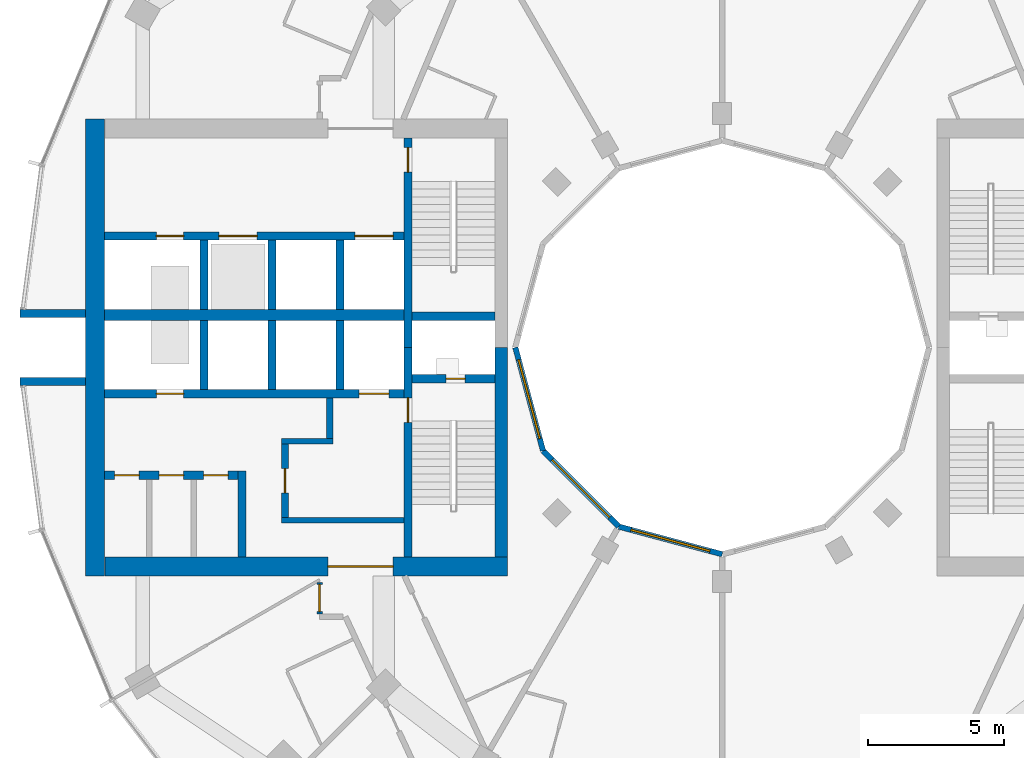
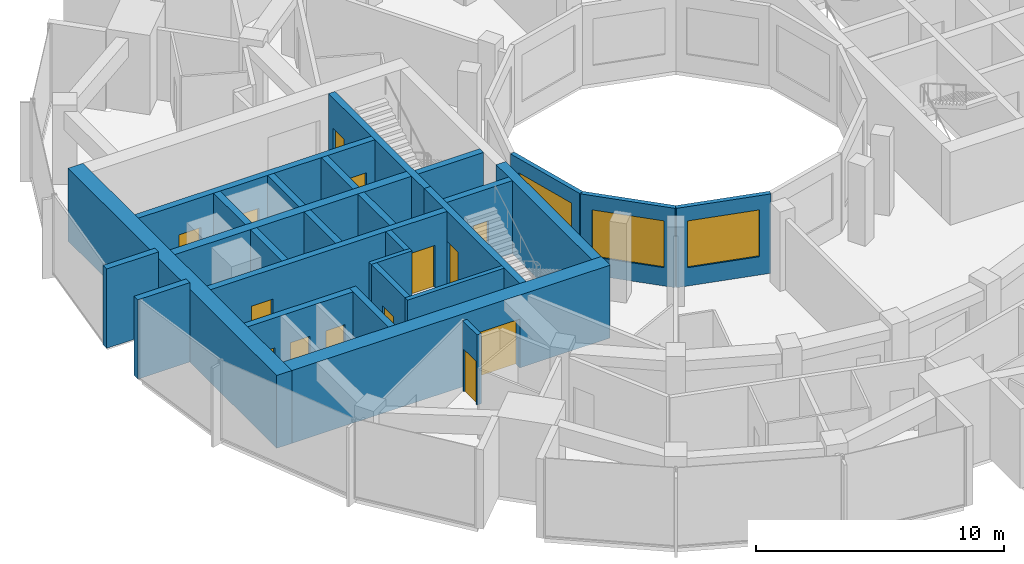
# One storey, part 9 of 15: 28 walls, 14 doors, 3 windows, 17 openings.
"""IFC4 building model written with IfcOpenShell, lengths in metres."""

from ifc_helpers import new_model, si_unit, direction, frame, frame_2d, origin, place, context, subcontext, project, spatial, rectangle, extrude, material, layer, layer_set, type_object, element, fill, save


model = new_model("IFC4")

# Units and contexts
model_context = context("Model", 3, precision=1e-05, world=origin(), true_north=direction((0.0, 1.0)))
body_context = subcontext(model_context, "Body", "Model", "MODEL_VIEW")
ifc_project = project(units=[si_unit("LENGTHUNIT", "METRE"), si_unit("AREAUNIT", "SQUARE_METRE"), si_unit("VOLUMEUNIT", "CUBIC_METRE"), si_unit("PLANEANGLEUNIT", "RADIAN"), si_unit("MASSUNIT", "GRAM", prefix="KILO")], contexts=[model_context])

# Site, building, storey
site_placement = place(None, origin())
site = spatial("IfcSite", under=ifc_project, at=site_placement, CompositionType="ELEMENT")
building_placement = place(site_placement, origin())
building = spatial("IfcBuilding", under=site, at=building_placement, Name="Torre Brocal", CompositionType="ELEMENT")
storey_placement = place(building_placement, frame((0.0, 0.0, 134.10009765625)))
storey = spatial("IfcBuildingStorey", under=building, at=storey_placement, Name="L31", CompositionType="ELEMENT", Elevation=134.10009765625)

# Walls
ifc_material_1 = material(Name="Concrete C70", Category="concrete")
ifc_layer_1 = layer(ifc_material_1, 0.199951171875)
ifc_layer_set_1 = layer_set([ifc_layer_1], Name="Concrete C70")
wall_type_1 = type_object("IfcWallType", Name="CORE WALL 200 C70", PredefinedType="SHEAR", material=ifc_layer_set_1)
wall_1_placement = place(storey_placement, frame((68.300048828125, 68.64990234375, 0.0), z_axis=(0.0, 0.0, 1.0), x_axis=(-1.0, 0.0, 0.0)))
element("IfcWall", 1, at=wall_1_placement, inside=storey, type_object=wall_type_1, Name="Wall CW200-70", PredefinedType="SHEAR", context=body_context, shape_type="SweptSolid", body=[
    extrude(rectangle(XDim=4.5, YDim=0.199951171875, at=frame_2d((2.25, 0.0))), origin(), (0.0, 0.0, 1.0), 3.579833984375),
])
wall_2_placement = place(storey_placement, frame((65.699951171875, 71.550048828125, 0.0), z_axis=(0.0, 0.0, 1.0), x_axis=(-1.0, 0.0, 0.0)))
element("IfcWall", 2, at=wall_2_placement, inside=storey, type_object=wall_type_1, Name="Wall CW200-70", PredefinedType="SHEAR", context=body_context, shape_type="SweptSolid", body=[
    extrude(rectangle(XDim=1.89990234375, YDim=0.199951171875, at=frame_2d((0.949951171875, 0.0))), origin(), (0.0, 0.0, 1.0), 3.579833984375),
])

# Wall, opening, door
ifc_material_2 = material(Name="Concrete C70", Category="concrete")
ifc_layer_2 = layer(ifc_material_2, 0.25)
ifc_layer_set_2 = layer_set([ifc_layer_2], Name="Concrete C70")
wall_type_2 = type_object("IfcWallType", Name="CORE WALL 250 C70", PredefinedType="SHEAR", material=ifc_layer_set_2)
wall_3_placement = place(storey_placement, frame((63.925048828125, 71.449951171875, 0.0), z_axis=(0.0, 0.0, 1.0), x_axis=(0.0, -1.0, 0.0)))
wall_3 = element("IfcWall", 3, at=wall_3_placement, inside=storey, type_object=wall_type_2, Name="Wall CW250-70", PredefinedType="SHEAR", context=body_context, shape_type="SweptSolid", body=[
    extrude(rectangle(XDim=2.699951171875, YDim=0.25, at=frame_2d((1.35009765625, 0.0))), origin(), (0.0, 0.0, 1.0), 3.579833984375),
])
opening_1_placement = place(wall_3_placement, frame((0.89990234375, 0.0, 0.0)))
opening_1 = element("IfcOpeningElement", 4, at=opening_1_placement, cuts=wall_3, Name="Opening W-D15", PredefinedType="OPENING", context=body_context, shape_type="SweptSolid", body=[
    extrude(rectangle(XDim=0.89990234375, YDim=2.10009765625, at=frame_2d((0.449951171875, 1.050048828125))), frame((0.0, 0.135009765625, 0.0), z_axis=(0.0, -1.0, 0.0), x_axis=(1.0, 0.0, 0.0)), (0.0, 0.0, 1.0), 0.27001953125),
])
ifc_material_3 = material(Name="Steel A653", Category="steel")
door_type_1 = type_object("IfcDoorType", Name="LOBBY DOOR FD120 900X2100", OperationType="SINGLE_SWING_RIGHT", PredefinedType="DOOR", material=ifc_material_3)
door_1_placement = place(opening_1_placement, origin())
door_1 = element("IfcDoor", 5, at=door_1_placement, inside=storey, type_object=door_type_1, Name="Door W-D15", OperationType="SINGLE_SWING_LEFT", OverallHeight=2.10009765625, OverallWidth=0.89990234375, PredefinedType="DOOR", context=body_context, shape_type="SweptSolid", body=[
    extrude(rectangle(XDim=0.89990234375, YDim=2.10009765625, at=frame_2d((0.449951171875, 1.050048828125))), frame((0.0, 0.02490234375, 0.0), z_axis=(0.0, -1.0, 0.0), x_axis=(1.0, 0.0, 0.0)), (0.0, 0.0, 1.0), 0.050048828125),
])
fill(opening_1, door_1)

# Wall
wall_4_placement = place(storey_placement, frame((65.574951171875, 73.14990234375, 0.0), z_axis=(0.0, 0.0, 1.0), x_axis=(0.0, -1.0, 0.0)))
element("IfcWall", 6, at=wall_4_placement, inside=storey, type_object=wall_type_2, Name="Wall CW250-70", PredefinedType="SHEAR", context=body_context, shape_type="SweptSolid", body=[
    extrude(rectangle(XDim=1.5, YDim=0.25, at=frame_2d((0.75, 0.0))), origin(), (0.0, 0.0, 1.0), 3.579833984375),
])

# Wall, opening, door
ifc_material_4 = material(Name="Concrete C70", Category="concrete")
ifc_layer_3 = layer(ifc_material_4, 0.300048828125)
ifc_layer_set_3 = layer_set([ifc_layer_3], Name="Concrete C70")
wall_type_3 = type_object("IfcWallType", Name="CORE WALL 300 C70", PredefinedType="SHEAR", material=ifc_layer_set_3)
wall_5_placement = place(storey_placement, frame((68.449951171875, 75.0, 0.0), z_axis=(0.0, 0.0, 1.0), x_axis=(0.0, -1.0, 0.0)))
wall_5 = element("IfcWall", 7, at=wall_5_placement, inside=storey, type_object=wall_type_3, Name="Wall CW300-70", PredefinedType="SHEAR", context=body_context, shape_type="SweptSolid", body=[
    extrude(rectangle(XDim=7.699951171875, YDim=0.300048828125, at=frame_2d((3.85009765625, 0.0))), origin(), (0.0, 0.0, 1.0), 3.579833984375),
])
opening_2_placement = place(wall_5_placement, frame((1.85009765625, 0.0, 0.0)))
opening_2 = element("IfcOpeningElement", 8, at=opening_2_placement, cuts=wall_5, Name="Opening W-D02", PredefinedType="OPENING", context=body_context, shape_type="SweptSolid", body=[
    extrude(rectangle(XDim=0.89990234375, YDim=2.10009765625, at=frame_2d((0.449951171875, 1.050048828125))), frame((0.0, 0.159912109375, 0.0), z_axis=(0.0, -1.0, 0.0), x_axis=(1.0, 0.0, 0.0)), (0.0, 0.0, 1.0), 0.320068359375),
])
ifc_material_5 = material(Name="Steel A653", Category="steel")
door_type_2 = type_object("IfcDoorType", Name="STAIR DOOR FD120 900X2100", OperationType="SINGLE_SWING_RIGHT", PredefinedType="DOOR", material=ifc_material_5)
door_2_placement = place(opening_2_placement, origin())
door_2 = element("IfcDoor", 9, at=door_2_placement, inside=storey, type_object=door_type_2, Name="Door W-D02", OperationType="SINGLE_SWING_LEFT", OverallHeight=2.10009765625, OverallWidth=0.89990234375, PredefinedType="DOOR", context=body_context, shape_type="SweptSolid", body=[
    extrude(rectangle(XDim=0.89990234375, YDim=2.10009765625, at=frame_2d((0.449951171875, 1.050048828125))), frame((0.0, 0.02490234375, 0.0), z_axis=(0.0, -1.0, 0.0), x_axis=(1.0, 0.0, 0.0)), (0.0, 0.0, 1.0), 0.050048828125),
])
fill(opening_2, door_2)

wall_6_placement = place(storey_placement, frame((68.449951171875, 82.699951171875, 0.0), z_axis=(0.0, 0.0, 1.0), x_axis=(0.0, -1.0, 0.0)))
wall_6 = element("IfcWall", 10, at=wall_6_placement, inside=storey, type_object=wall_type_3, Name="Wall CW300-70", PredefinedType="SHEAR", context=body_context, shape_type="SweptSolid", body=[
    extrude(rectangle(XDim=7.699951171875, YDim=0.300048828125, at=frame_2d((3.85009765625, 0.0))), origin(), (0.0, 0.0, 1.0), 3.579833984375),
])
opening_3_placement = place(wall_6_placement, frame((0.35009765625, 0.0, 0.0)))
opening_3 = element("IfcOpeningElement", 11, at=opening_3_placement, cuts=wall_6, Name="Opening W-D03", PredefinedType="OPENING", context=body_context, shape_type="SweptSolid", body=[
    extrude(rectangle(XDim=0.89990234375, YDim=2.10009765625, at=frame_2d((0.449951171875, 1.050048828125))), frame((0.0, 0.159912109375, 0.0), z_axis=(0.0, -1.0, 0.0), x_axis=(1.0, 0.0, 0.0)), (0.0, 0.0, 1.0), 0.320068359375),
])
door_3_placement = place(opening_3_placement, origin())
door_3 = element("IfcDoor", 12, at=door_3_placement, inside=storey, type_object=door_type_2, Name="Door W-D03", OperationType="SINGLE_SWING_LEFT", OverallHeight=2.10009765625, OverallWidth=0.89990234375, PredefinedType="DOOR", context=body_context, shape_type="SweptSolid", body=[
    extrude(rectangle(XDim=0.89990234375, YDim=2.10009765625, at=frame_2d((0.449951171875, 1.050048828125))), frame((0.0, 0.02490234375, 0.0), z_axis=(0.0, -1.0, 0.0), x_axis=(1.0, 0.0, 0.0)), (0.0, 0.0, 1.0), 0.050048828125),
])
fill(opening_3, door_3)

wall_7_placement = place(storey_placement, frame((71.64990234375, 73.85009765625, 0.0), z_axis=(0.0, 0.0, 1.0), x_axis=(-1.0, 0.0, 0.0)))
wall_7 = element("IfcWall", 13, at=wall_7_placement, inside=storey, type_object=wall_type_3, Name="Wall CW300-70", PredefinedType="SHEAR", context=body_context, shape_type="SweptSolid", body=[
    extrude(rectangle(XDim=3.0498046875, YDim=0.300048828125, at=frame_2d((1.52490234375, 0.0))), origin(), (0.0, 0.0, 1.0), 3.579833984375),
])
opening_4_placement = place(wall_7_placement, frame((1.10009765625, 0.0, 0.0)))
opening_4 = element("IfcOpeningElement", 14, at=opening_4_placement, cuts=wall_7, Name="Opening W-D01", PredefinedType="OPENING", context=body_context, shape_type="SweptSolid", body=[
    extrude(rectangle(XDim=0.699951171875, YDim=2.0, at=frame_2d((0.35009765625, 1.0))), frame((0.0, 0.159912109375, 0.0), z_axis=(0.0, -1.0, 0.0), x_axis=(1.0, 0.0, 0.0)), (0.0, 0.0, 1.0), 0.320068359375),
])
ifc_material_6 = material(Name="Steel A653", Category="steel")
door_type_3 = type_object("IfcDoorType", Name="RISER DOOR FD120 700X2000", OperationType="SINGLE_SWING_LEFT", PredefinedType="DOOR", material=ifc_material_6)
door_4_placement = place(opening_4_placement, frame((0.699951171875, 0.0, 0.0), z_axis=(0.0, 0.0, 1.0), x_axis=(-1.0, 0.0, 0.0)))
door_4 = element("IfcDoor", 15, at=door_4_placement, inside=storey, type_object=door_type_3, Name="Door W-D01", OperationType="SINGLE_SWING_RIGHT", OverallHeight=2.0, OverallWidth=0.699951171875, PredefinedType="DOOR", context=body_context, shape_type="SweptSolid", body=[
    extrude(rectangle(XDim=0.699951171875, YDim=2.0, at=frame_2d((0.35009765625, 1.0))), frame((0.0, 0.02490234375, 0.0), z_axis=(0.0, -1.0, 0.0), x_axis=(1.0, 0.0, 0.0)), (0.0, 0.0, 1.0), 0.050048828125),
])
fill(opening_4, door_4)

# Wall
wall_8_placement = place(storey_placement, frame((71.64990234375, 76.14990234375, 0.0), z_axis=(0.0, 0.0, 1.0), x_axis=(-1.0, 0.0, 0.0)))
element("IfcWall", 16, at=wall_8_placement, inside=storey, type_object=wall_type_3, Name="Wall CW300-70", PredefinedType="SHEAR", context=body_context, shape_type="SweptSolid", body=[
    extrude(rectangle(XDim=3.0498046875, YDim=0.300048828125, at=frame_2d((1.52490234375, 0.0))), origin(), (0.0, 0.0, 1.0), 3.579833984375),
])

# Wall, openings, doors
wall_9_placement = place(storey_placement, frame((68.300048828125, 73.300048828125, 0.0), z_axis=(0.0, 0.0, 1.0), x_axis=(-1.0, 0.0, 0.0)))
wall_9 = element("IfcWall", 17, at=wall_9_placement, inside=storey, type_object=wall_type_3, Name="Wall CW300-70", PredefinedType="SHEAR", context=body_context, shape_type="SweptSolid", body=[
    extrude(rectangle(XDim=11.0, YDim=0.300048828125, at=frame_2d((5.5, 0.0))), origin(), (0.0, 0.0, 1.0), 3.579833984375),
])
opening_5_placement = place(wall_9_placement, frame((0.550048828125, 0.0, 0.0)))
opening_5 = element("IfcOpeningElement", 18, at=opening_5_placement, cuts=wall_9, Name="Opening LD", PredefinedType="OPENING", context=body_context, shape_type="SweptSolid", body=[
    extrude(rectangle(XDim=1.10009765625, YDim=2.10009765625, at=frame_2d((0.550048828125, 1.050048828125))), frame((0.0, 0.159912109375, 0.0), z_axis=(0.0, -1.0, 0.0), x_axis=(1.0, 0.0, 0.0)), (0.0, 0.0, 1.0), 0.320068359375),
])
opening_6_placement = place(wall_9_placement, frame((8.10009765625, 0.0, 0.0)))
opening_6 = element("IfcOpeningElement", 19, at=opening_6_placement, cuts=wall_9, Name="Opening LD10", PredefinedType="OPENING", context=body_context, shape_type="SweptSolid", body=[
    extrude(rectangle(XDim=1.0, YDim=2.10009765625, at=frame_2d((0.5, 1.050048828125))), frame((0.0, 0.159912109375, 0.0), z_axis=(0.0, -1.0, 0.0), x_axis=(1.0, 0.0, 0.0)), (0.0, 0.0, 1.0), 0.320068359375),
])
ifc_material_7 = material(Name="Stainless steel AISI 316", Category="steel")
door_type_4 = type_object("IfcDoorType", Name="LIFT LANDING DOOR 1000X2100", OperationType="DOUBLE_DOOR_SLIDING", PredefinedType="DOOR", material=ifc_material_7)
door_5_placement = place(opening_6_placement, origin())
door_5 = element("IfcDoor", 20, at=door_5_placement, inside=storey, type_object=door_type_4, Name="Door LD10", OperationType="DOUBLE_DOOR_SLIDING", OverallHeight=2.10009765625, OverallWidth=1.0, PredefinedType="DOOR", context=body_context, shape_type="SweptSolid", body=[
    extrude(rectangle(XDim=1.0, YDim=2.10009765625, at=frame_2d((0.5, 1.050048828125))), frame((0.0, 0.02490234375, 0.0), z_axis=(0.0, -1.0, 0.0), x_axis=(1.0, 0.0, 0.0)), (0.0, 0.0, 1.0), 0.050048828125),
])
fill(opening_6, door_5)
ifc_material_8 = material(Name="Stainless steel AISI 316", Category="steel")
door_type_5 = type_object("IfcDoorType", Name="LIFT LANDING DOOR 1100X2100", OperationType="DOUBLE_DOOR_SLIDING", PredefinedType="DOOR", material=ifc_material_8)
door_6_placement = place(opening_5_placement, origin())
door_6 = element("IfcDoor", 21, at=door_6_placement, inside=storey, type_object=door_type_5, Name="Door LD", OperationType="DOUBLE_DOOR_SLIDING", OverallHeight=2.10009765625, OverallWidth=1.10009765625, PredefinedType="DOOR", context=body_context, shape_type="SweptSolid", body=[
    extrude(rectangle(XDim=1.10009765625, YDim=2.10009765625, at=frame_2d((0.550048828125, 1.050048828125))), frame((0.0, 0.02490234375, 0.0), z_axis=(0.0, -1.0, 0.0), x_axis=(1.0, 0.0, 0.0)), (0.0, 0.0, 1.0), 0.050048828125),
])
fill(opening_5, door_6)

wall_10_placement = place(storey_placement, frame((68.300048828125, 79.10009765625, 0.0), z_axis=(0.0, 0.0, 1.0), x_axis=(-1.0, 0.0, 0.0)))
wall_10 = element("IfcWall", 22, at=wall_10_placement, inside=storey, type_object=wall_type_3, Name="Wall CW300-70", PredefinedType="SHEAR", context=body_context, shape_type="SweptSolid", body=[
    extrude(rectangle(XDim=11.0, YDim=0.300048828125, at=frame_2d((5.5, 0.0))), origin(), (0.0, 0.0, 1.0), 3.579833984375),
])
opening_7_placement = place(wall_10_placement, frame((0.39990234375, 0.0, 0.0)))
opening_7 = element("IfcOpeningElement", 23, at=opening_7_placement, cuts=wall_10, Name="Opening LD14", PredefinedType="OPENING", context=body_context, shape_type="SweptSolid", body=[
    extrude(rectangle(XDim=1.39990234375, YDim=2.10009765625, at=frame_2d((0.699951171875, 1.050048828125))), frame((0.0, 0.159912109375, 0.0), z_axis=(0.0, -1.0, 0.0), x_axis=(1.0, 0.0, 0.0)), (0.0, 0.0, 1.0), 0.320068359375),
])
opening_8_placement = place(wall_10_placement, frame((5.39990234375, 0.0, 0.0)))
opening_8 = element("IfcOpeningElement", 24, at=opening_8_placement, cuts=wall_10, Name="Opening LD14", PredefinedType="OPENING", context=body_context, shape_type="SweptSolid", body=[
    extrude(rectangle(XDim=1.39990234375, YDim=2.10009765625, at=frame_2d((0.699951171875, 1.050048828125))), frame((0.0, 0.159912109375, 0.0), z_axis=(0.0, -1.0, 0.0), x_axis=(1.0, 0.0, 0.0)), (0.0, 0.0, 1.0), 0.320068359375),
])
opening_9_placement = place(wall_10_placement, frame((8.10009765625, 0.0, 0.0)))
opening_9 = element("IfcOpeningElement", 25, at=opening_9_placement, cuts=wall_10, Name="Opening LD10", PredefinedType="OPENING", context=body_context, shape_type="SweptSolid", body=[
    extrude(rectangle(XDim=1.0, YDim=2.10009765625, at=frame_2d((0.5, 1.050048828125))), frame((0.0, 0.159912109375, 0.0), z_axis=(0.0, -1.0, 0.0), x_axis=(1.0, 0.0, 0.0)), (0.0, 0.0, 1.0), 0.320068359375),
])
door_7_placement = place(opening_9_placement, origin())
door_7 = element("IfcDoor", 26, at=door_7_placement, inside=storey, type_object=door_type_4, Name="Door LD10", OperationType="DOUBLE_DOOR_SLIDING", OverallHeight=2.10009765625, OverallWidth=1.0, PredefinedType="DOOR", context=body_context, shape_type="SweptSolid", body=[
    extrude(rectangle(XDim=1.0, YDim=2.10009765625, at=frame_2d((0.5, 1.050048828125))), frame((0.0, 0.02490234375, 0.0), z_axis=(0.0, -1.0, 0.0), x_axis=(1.0, 0.0, 0.0)), (0.0, 0.0, 1.0), 0.050048828125),
])
fill(opening_9, door_7)
ifc_material_9 = material(Name="Stainless steel AISI 316", Category="steel")
door_type_6 = type_object("IfcDoorType", Name="LIFT LANDING DOOR 1400X2100", OperationType="DOUBLE_DOOR_SLIDING", PredefinedType="DOOR", material=ifc_material_9)
door_8_placement = place(opening_7_placement, origin())
door_8 = element("IfcDoor", 27, at=door_8_placement, inside=storey, type_object=door_type_6, Name="Door LD14", OperationType="DOUBLE_DOOR_SLIDING", OverallHeight=2.10009765625, OverallWidth=1.39990234375, PredefinedType="DOOR", context=body_context, shape_type="SweptSolid", body=[
    extrude(rectangle(XDim=1.39990234375, YDim=2.10009765625, at=frame_2d((0.699951171875, 1.050048828125))), frame((0.0, 0.02490234375, 0.0), z_axis=(0.0, -1.0, 0.0), x_axis=(1.0, 0.0, 0.0)), (0.0, 0.0, 1.0), 0.050048828125),
])
fill(opening_7, door_8)
door_9_placement = place(opening_8_placement, origin())
door_9 = element("IfcDoor", 28, at=door_9_placement, inside=storey, type_object=door_type_6, Name="Door LD14", OperationType="DOUBLE_DOOR_SLIDING", OverallHeight=2.10009765625, OverallWidth=1.39990234375, PredefinedType="DOOR", context=body_context, shape_type="SweptSolid", body=[
    extrude(rectangle(XDim=1.39990234375, YDim=2.10009765625, at=frame_2d((0.699951171875, 1.050048828125))), frame((0.0, 0.02490234375, 0.0), z_axis=(0.0, -1.0, 0.0), x_axis=(1.0, 0.0, 0.0)), (0.0, 0.0, 1.0), 0.050048828125),
])
fill(opening_8, door_9)

# Walls
for number, where, z_axis, x_axis, name in (
    (29, (65.949951171875, 76.0, 0.0), (0.0, 0.0, 1.0), (0.0, -1.0, 0.0), "Wall CW300-70"),
    (30, (63.449951171875, 76.0, 0.0), (0.0, 0.0, 1.0), (0.0, -1.0, 0.0), "Wall CW300-70"),
    (31, (60.949951171875, 76.0, 0.0), (0.0, 0.0, 1.0), (0.0, -1.0, 0.0), "Wall CW300-70"),
    (32, (65.949951171875, 78.949951171875, 0.0), (0.0, 0.0, 1.0), (0.0, -1.0, 0.0), "Wall CW300-70"),
    (33, (63.449951171875, 78.949951171875, 0.0), (0.0, 0.0, 1.0), (0.0, -1.0, 0.0), "Wall CW300-70"),
    (34, (60.949951171875, 78.949951171875, 0.0), (0.0, 0.0, 1.0), (0.0, -1.0, 0.0), "Wall CW300-70"),
):
    element("IfcWall", number, at=place(storey_placement, frame(where, z_axis=z_axis, x_axis=x_axis)), inside=storey, type_object=wall_type_3, Name=name, PredefinedType="SHEAR", context=body_context, shape_type="SweptSolid", body=[
        extrude(rectangle(XDim=2.550048828125, YDim=0.300048828125, at=frame_2d((1.27490234375, 0.0))), origin(), (0.0, 0.0, 1.0), 3.579833984375),
    ])
wall_11_placement = place(storey_placement, frame((62.35009765625, 70.449951171875, 0.0), z_axis=(0.0, 0.0, 1.0), x_axis=(0.0, -1.0, 0.0)))
element("IfcWall", 35, at=wall_11_placement, inside=storey, type_object=wall_type_3, Name="Wall CW300-70", PredefinedType="SHEAR", context=body_context, shape_type="SweptSolid", body=[
    extrude(rectangle(XDim=3.14990234375, YDim=0.300048828125, at=frame_2d((1.574951171875, 0.0))), origin(), (0.0, 0.0, 1.0), 3.579833984375),
])

# Wall, openings, doors
wall_12_placement = place(storey_placement, frame((62.199951171875, 70.300048828125, 0.0), z_axis=(0.0, 0.0, 1.0), x_axis=(-1.0, 0.0, 0.0)))
wall_12 = element("IfcWall", 36, at=wall_12_placement, inside=storey, type_object=wall_type_3, Name="Wall CW300-70", PredefinedType="SHEAR", context=body_context, shape_type="SweptSolid", body=[
    extrude(rectangle(XDim=4.89990234375, YDim=0.300048828125, at=frame_2d((2.449951171875, 0.0))), origin(), (0.0, 0.0, 1.0), 3.579833984375),
])
opening_10_placement = place(wall_12_placement, frame((0.36669921875, 0.0, 0.0)))
opening_10 = element("IfcOpeningElement", 37, at=opening_10_placement, cuts=wall_12, Name="Opening W-D05", PredefinedType="OPENING", context=body_context, shape_type="SweptSolid", body=[
    extrude(rectangle(XDim=0.89990234375, YDim=2.10009765625, at=frame_2d((0.449951171875, 1.050048828125))), frame((0.0, 0.159912109375, 0.0), z_axis=(0.0, -1.0, 0.0), x_axis=(1.0, 0.0, 0.0)), (0.0, 0.0, 1.0), 0.320068359375),
])
opening_11_placement = place(wall_12_placement, frame((2.0, 0.0, 0.0)))
opening_11 = element("IfcOpeningElement", 38, at=opening_11_placement, cuts=wall_12, Name="Opening W-D06", PredefinedType="OPENING", context=body_context, shape_type="SweptSolid", body=[
    extrude(rectangle(XDim=0.89990234375, YDim=2.10009765625, at=frame_2d((0.449951171875, 1.050048828125))), frame((0.0, 0.159912109375, 0.0), z_axis=(0.0, -1.0, 0.0), x_axis=(1.0, 0.0, 0.0)), (0.0, 0.0, 1.0), 0.320068359375),
])
opening_12_placement = place(wall_12_placement, frame((3.63330078125, 0.0, 0.0)))
opening_12 = element("IfcOpeningElement", 39, at=opening_12_placement, cuts=wall_12, Name="Opening W-D07", PredefinedType="OPENING", context=body_context, shape_type="SweptSolid", body=[
    extrude(rectangle(XDim=0.89990234375, YDim=2.10009765625, at=frame_2d((0.449951171875, 1.050048828125))), frame((0.0, 0.159912109375, 0.0), z_axis=(0.0, -1.0, 0.0), x_axis=(1.0, 0.0, 0.0)), (0.0, 0.0, 1.0), 0.320068359375),
])
ifc_material_10 = material(Name="Steel A653", Category="steel")
door_type_7 = type_object("IfcDoorType", Name="ROOM DOOR FD30S 900X2100", OperationType="SINGLE_SWING_LEFT", PredefinedType="DOOR", material=ifc_material_10)
door_10_placement = place(opening_10_placement, origin())
door_10 = element("IfcDoor", 40, at=door_10_placement, inside=storey, type_object=door_type_7, Name="Door W-D05", OperationType="SINGLE_SWING_RIGHT", OverallHeight=2.10009765625, OverallWidth=0.89990234375, PredefinedType="DOOR", context=body_context, shape_type="SweptSolid", body=[
    extrude(rectangle(XDim=0.89990234375, YDim=2.10009765625, at=frame_2d((0.449951171875, 1.050048828125))), frame((0.0, 0.02490234375, 0.0), z_axis=(0.0, -1.0, 0.0), x_axis=(1.0, 0.0, 0.0)), (0.0, 0.0, 1.0), 0.050048828125),
])
fill(opening_10, door_10)
door_11_placement = place(opening_11_placement, origin())
door_11 = element("IfcDoor", 41, at=door_11_placement, inside=storey, type_object=door_type_7, Name="Door W-D06", OperationType="SINGLE_SWING_LEFT", OverallHeight=2.10009765625, OverallWidth=0.89990234375, PredefinedType="DOOR", context=body_context, shape_type="SweptSolid", body=[
    extrude(rectangle(XDim=0.89990234375, YDim=2.10009765625, at=frame_2d((0.449951171875, 1.050048828125))), frame((0.0, 0.02490234375, 0.0), z_axis=(0.0, -1.0, 0.0), x_axis=(1.0, 0.0, 0.0)), (0.0, 0.0, 1.0), 0.050048828125),
])
fill(opening_11, door_11)
door_12_placement = place(opening_12_placement, origin())
door_12 = element("IfcDoor", 42, at=door_12_placement, inside=storey, type_object=door_type_7, Name="Door W-D07", OperationType="SINGLE_SWING_LEFT", OverallHeight=2.10009765625, OverallWidth=0.89990234375, PredefinedType="DOOR", context=body_context, shape_type="SweptSolid", body=[
    extrude(rectangle(XDim=0.89990234375, YDim=2.10009765625, at=frame_2d((0.449951171875, 1.050048828125))), frame((0.0, 0.02490234375, 0.0), z_axis=(0.0, -1.0, 0.0), x_axis=(1.0, 0.0, 0.0)), (0.0, 0.0, 1.0), 0.050048828125),
])
fill(opening_12, door_12)

# Walls
ifc_material_11 = material(Name="Concrete C70", Category="concrete")
ifc_layer_4 = layer(ifc_material_11, 0.39990234375)
ifc_layer_set_4 = layer_set([ifc_layer_4], Name="Concrete C70")
wall_type_4 = type_object("IfcWallType", Name="CORE WALL 400 C70", PredefinedType="SHEAR", material=ifc_layer_set_4)
wall_13_placement = place(storey_placement, frame((68.300048828125, 76.199951171875, 0.0), z_axis=(0.0, 0.0, 1.0), x_axis=(-1.0, 0.0, 0.0)))
element("IfcWall", 43, at=wall_13_placement, inside=storey, type_object=wall_type_4, Name="Wall CW400-70", PredefinedType="SHEAR", context=body_context, shape_type="SweptSolid", body=[
    extrude(rectangle(XDim=11.0, YDim=0.39990234375, at=frame_2d((5.5, 0.0))), origin(), (0.0, 0.0, 1.0), 3.579833984375),
])
ifc_material_12 = material(Name="Concrete C70", Category="concrete")
ifc_layer_5 = layer(ifc_material_12, 0.449951171875)
ifc_layer_set_5 = layer_set([ifc_layer_5], Name="Concrete C70")
wall_type_5 = type_object("IfcWallType", Name="CORE WALL 450 C70", PredefinedType="SHEAR", material=ifc_layer_set_5)
wall_14_placement = place(storey_placement, frame((71.875, 75.0, 0.0), z_axis=(0.0, 0.0, 1.0), x_axis=(0.0, -1.0, 0.0)))
element("IfcWall", 44, at=wall_14_placement, inside=storey, type_object=wall_type_5, Name="Wall CW450-70", PredefinedType="SHEAR", context=body_context, shape_type="SweptSolid", body=[
    extrude(rectangle(XDim=7.699951171875, YDim=0.449951171875, at=frame_2d((3.85009765625, 0.0))), origin(), (0.0, 0.0, 1.0), 3.579833984375),
])

# Wall, opening, door
ifc_material_13 = material(Name="Concrete C70", Category="concrete")
ifc_layer_6 = layer(ifc_material_13, 0.699951171875)
ifc_layer_set_6 = layer_set([ifc_layer_6], Name="Concrete C70")
wall_type_6 = type_object("IfcWallType", Name="CORE WALL 700 C70", PredefinedType="SHEAR", material=ifc_layer_set_6)
wall_15_placement = place(storey_placement, frame((72.10009765625, 66.949951171875, 0.0), z_axis=(0.0, 0.0, 1.0), x_axis=(-1.0, 0.0, 0.0)))
wall_15 = element("IfcWall", 45, at=wall_15_placement, inside=storey, type_object=wall_type_6, Name="Wall CW700-70", PredefinedType="SHEAR", context=body_context, shape_type="SweptSolid", body=[
    extrude(rectangle(XDim=14.800048828125, YDim=0.699951171875, at=frame_2d((7.39990234375, 0.0))), origin(), (0.0, 0.0, 1.0), 3.579833984375),
])
opening_13_placement = place(wall_15_placement, frame((4.199951171875, 0.0, 0.0)))
opening_13 = element("IfcOpeningElement", 46, at=opening_13_placement, cuts=wall_15, Name="Opening W-D27", PredefinedType="OPENING", context=body_context, shape_type="SweptSolid", body=[
    extrude(rectangle(XDim=2.39990234375, YDim=2.39990234375, at=frame_2d((1.199951171875, 1.199951171875))), frame((0.0, 0.35986328125, 0.0), z_axis=(0.0, -1.0, 0.0), x_axis=(1.0, 0.0, 0.0)), (0.0, 0.0, 1.0), 0.719970703125),
])
ifc_material_14 = material(Name="Steel A653", Category="steel")
door_type_8 = type_object("IfcDoorType", Name="DOUBLE FIRE DOOR FD90 2400X2400", OperationType="DOUBLE_DOOR_SINGLE_SWING", PredefinedType="DOOR", material=ifc_material_14)
door_13_placement = place(opening_13_placement, frame((2.39990234375, 0.0, 0.0), z_axis=(0.0, 0.0, 1.0), x_axis=(-1.0, 0.0, 0.0)))
door_13 = element("IfcDoor", 47, at=door_13_placement, inside=storey, type_object=door_type_8, Name="Door W-D27", OperationType="DOUBLE_DOOR_SINGLE_SWING", OverallHeight=2.39990234375, OverallWidth=2.39990234375, PredefinedType="DOOR", context=body_context, shape_type="SweptSolid", body=[
    extrude(rectangle(XDim=2.39990234375, YDim=2.39990234375, at=frame_2d((1.199951171875, 1.199951171875))), frame((0.0, 0.02490234375, 0.0), z_axis=(0.0, -1.0, 0.0), x_axis=(1.0, 0.0, 0.0)), (0.0, 0.0, 1.0), 0.050048828125),
])
fill(opening_13, door_13)

# Walls
wall_16_placement = place(storey_placement, frame((56.949951171875, 83.39990234375, 0.0), z_axis=(0.0, 0.0, 1.0), x_axis=(0.0, -1.0, 0.0)))
element("IfcWall", 48, at=wall_16_placement, inside=storey, type_object=wall_type_6, Name="Wall CW700-70", PredefinedType="SHEAR", context=body_context, shape_type="SweptSolid", body=[
    extrude(rectangle(XDim=16.7998046875, YDim=0.699951171875, at=frame_2d((8.39990234375, 0.0))), origin(), (0.0, 0.0, 1.0), 3.579833984375),
])
ifc_material_15 = material(Name="Concrete C70", Category="concrete")
ifc_layer_7 = layer(ifc_material_15, 0.300048828125)
ifc_layer_set_7 = layer_set([ifc_layer_7], Name="Concrete C70")
wall_type_7 = type_object("IfcWallType", Name="NOTCH RETURN WALL 300 C70", PredefinedType="NOTDEFINED", material=ifc_layer_set_7)
for number, where, z_axis, x_axis, name in (
    (49, (56.60009765625, 76.25, 0.0), (0.0, 0.0, 1.0), (-1.0, 0.0, 0.0), "NOTCH RETURN WALL"),
    (50, (56.60009765625, 73.75, 0.0), (0.0, 0.0, 1.0), (-1.0, 0.0, 0.0), "NOTCH RETURN WALL"),
):
    element("IfcWall", number, at=place(storey_placement, frame(where, z_axis=z_axis, x_axis=x_axis)), inside=storey, type_object=wall_type_7, Name=name, PredefinedType="NOTDEFINED", context=body_context, shape_type="SweptSolid", body=[
        extrude(rectangle(XDim=2.415771484375, YDim=0.300048828125, at=frame_2d((1.2080078125, 0.0))), origin(), (0.0, 0.0, 1.0), 3.89990234375),
    ])

# Wall, opening, door
ifc_material_16 = material(Name="Gypsum board", Category="Gypsum")
ifc_layer_8 = layer(ifc_material_16, 0.199951171875)
ifc_layer_set_8 = layer_set([ifc_layer_8], Name="Gypsum board")
wall_type_8 = type_object("IfcWallType", Name="PARTITION 200 EI60", PredefinedType="PARTITIONING", material=ifc_layer_set_8)
wall_17_placement = place(storey_placement, frame((65.199951171875, 65.199951171875, 0.0), z_axis=(0.0, 0.0, 1.0), x_axis=(0.0, 1.0, 0.0)))
wall_17 = element("IfcWall", 51, at=wall_17_placement, inside=storey, type_object=wall_type_8, Name="GUESTROOM CORRIDOR WALL", PredefinedType="PARTITIONING", context=body_context, shape_type="SweptSolid", body=[
    extrude(rectangle(XDim=1.150146484375, YDim=0.199951171875, at=frame_2d((0.5751953125, 0.0))), origin(), (0.0, 0.0, 1.0), 3.449951171875),
])
opening_14_placement = place(wall_17_placement, frame((0.08740234375, 0.0, 0.0)))
opening_14 = element("IfcOpeningElement", 52, at=opening_14_placement, cuts=wall_17, Name="Opening E02-D38", PredefinedType="OPENING", context=body_context, shape_type="SweptSolid", body=[
    extrude(rectangle(XDim=1.0, YDim=2.10009765625, at=frame_2d((0.5, 1.050048828125))), frame((0.0, 0.10986328125, 0.0), z_axis=(0.0, -1.0, 0.0), x_axis=(1.0, 0.0, 0.0)), (0.0, 0.0, 1.0), 0.219970703125),
])
ifc_material_17 = material(Name="Timber", Category="wood")
door_type_9 = type_object("IfcDoorType", Name="FLAT ENTRY DOOR FD30S 1000X2100", OperationType="SINGLE_SWING_RIGHT", PredefinedType="DOOR", material=ifc_material_17)
door_14_placement = place(opening_14_placement, origin())
door_14 = element("IfcDoor", 53, at=door_14_placement, inside=storey, type_object=door_type_9, Name="E02-D38", OperationType="SINGLE_SWING_LEFT", OverallHeight=2.10009765625, OverallWidth=1.0, PredefinedType="DOOR", context=body_context, shape_type="SweptSolid", body=[
    extrude(rectangle(XDim=1.0, YDim=2.10009765625, at=frame_2d((0.5, 1.050048828125))), frame((0.0, 0.02490234375, 0.0), z_axis=(0.0, -1.0, 0.0), x_axis=(1.0, 0.0, 0.0)), (0.0, 0.0, 1.0), 0.050048828125),
])
fill(opening_14, door_14)

# Wall, opening, window
ifc_material_18 = material(Name="Concrete C40", Category="concrete")
ifc_layer_9 = layer(ifc_material_18, 0.199951171875)
ifc_layer_set_9 = layer_set([ifc_layer_9], Name="Concrete C40")
wall_type_9 = type_object("IfcWallType", Name="WELL FACADE WALL 200", PredefinedType="NOTDEFINED", material=ifc_layer_set_9)
wall_18_placement = place(storey_placement, frame((72.396484375, 75.0, 0.0), z_axis=(0.0, 0.0, 1.0), x_axis=(0.258789828301, -0.965933654434, 0.0)))
wall_18 = element("IfcWall", 54, at=wall_18_placement, inside=storey, type_object=wall_type_9, Name="WELL FACADE WALL", PredefinedType="NOTDEFINED", context=body_context, shape_type="SweptSolid", body=[
    extrude(rectangle(XDim=3.935791015625, YDim=0.199951171875, at=frame_2d((1.9677734375, 0.0))), origin(), (0.0, 0.0, 1.0), 3.89990234375),
])
opening_15_placement = place(wall_18_placement, frame((0.468017578125, 0.0, 0.89990234375)))
opening_15 = element("IfcOpeningElement", 55, at=opening_15_placement, cuts=wall_18, Name="Opening W1", PredefinedType="OPENING", context=body_context, shape_type="SweptSolid", body=[
    extrude(rectangle(XDim=3.0, YDim=2.300048828125, at=frame_2d((1.5, 1.14990234375))), frame((0.0, 0.10986328125, 0.0), z_axis=(0.0, -1.0, 0.0), x_axis=(1.0, 0.0, 0.0)), (0.0, 0.0, 1.0), 0.219970703125),
])
ifc_material_19 = material(Name="Aluminium and glass", Category="aluminium")
window_type = type_object("IfcWindowType", Name="WELL WINDOW 3000X2300", PartitioningType="SINGLE_PANEL", PredefinedType="WINDOW", material=ifc_material_19)
window_1_placement = place(opening_15_placement, origin())
window_1 = element("IfcWindow", 56, at=window_1_placement, inside=storey, type_object=window_type, Name="WELL WINDOW 3000X2300", OverallHeight=2.300048828125, OverallWidth=3.0, PartitioningType="SINGLE_PANEL", PredefinedType="WINDOW", context=body_context, shape_type="SweptSolid", body=[
    extrude(rectangle(XDim=3.0, YDim=2.300048828125, at=frame_2d((1.5, 1.14990234375))), frame((0.0, 0.030029296875, 0.0), z_axis=(0.0, -1.0, 0.0), x_axis=(1.0, 0.0, 0.0)), (0.0, 0.0, 1.0), 0.06005859375),
])
fill(opening_15, window_1)

wall_19_placement = place(storey_placement, frame((73.4150390625, 71.1982421875, 0.0), z_axis=(0.0, 0.0, 1.0), x_axis=(0.707106781187, -0.707106781187, 0.0)))
wall_19 = element("IfcWall", 57, at=wall_19_placement, inside=storey, type_object=wall_type_9, Name="WELL FACADE WALL", PredefinedType="NOTDEFINED", context=body_context, shape_type="SweptSolid", body=[
    extrude(rectangle(XDim=3.93603515625, YDim=0.199951171875, at=frame_2d((1.968017578125, 0.0))), origin(), (0.0, 0.0, 1.0), 3.89990234375),
])
opening_16_placement = place(wall_19_placement, frame((0.468017578125, 0.0, 0.89990234375)))
opening_16 = element("IfcOpeningElement", 58, at=opening_16_placement, cuts=wall_19, Name="Opening W1", PredefinedType="OPENING", context=body_context, shape_type="SweptSolid", body=[
    extrude(rectangle(XDim=3.0, YDim=2.300048828125, at=frame_2d((1.5, 1.14990234375))), frame((0.0, 0.10986328125, 0.0), z_axis=(0.0, -1.0, 0.0), x_axis=(1.0, 0.0, 0.0)), (0.0, 0.0, 1.0), 0.219970703125),
])
window_2_placement = place(opening_16_placement, origin())
window_2 = element("IfcWindow", 59, at=window_2_placement, inside=storey, type_object=window_type, Name="WELL WINDOW 3000X2300", OverallHeight=2.300048828125, OverallWidth=3.0, PartitioningType="SINGLE_PANEL", PredefinedType="WINDOW", context=body_context, shape_type="SweptSolid", body=[
    extrude(rectangle(XDim=3.0, YDim=2.300048828125, at=frame_2d((1.5, 1.14990234375))), frame((0.0, 0.030029296875, 0.0), z_axis=(0.0, -1.0, 0.0), x_axis=(1.0, 0.0, 0.0)), (0.0, 0.0, 1.0), 0.06005859375),
])
fill(opening_16, window_2)

wall_20_placement = place(storey_placement, frame((76.1982421875, 68.4150390625, 0.0), z_axis=(0.0, 0.0, 1.0), x_axis=(0.965933654434, -0.258789828301, 0.0)))
wall_20 = element("IfcWall", 60, at=wall_20_placement, inside=storey, type_object=wall_type_9, Name="WELL FACADE WALL", PredefinedType="NOTDEFINED", context=body_context, shape_type="SweptSolid", body=[
    extrude(rectangle(XDim=3.935791015625, YDim=0.199951171875, at=frame_2d((1.9677734375, 0.0))), origin(), (0.0, 0.0, 1.0), 3.89990234375),
])
opening_17_placement = place(wall_20_placement, frame((0.468017578125, 0.0, 0.89990234375)))
opening_17 = element("IfcOpeningElement", 61, at=opening_17_placement, cuts=wall_20, Name="Opening W1", PredefinedType="OPENING", context=body_context, shape_type="SweptSolid", body=[
    extrude(rectangle(XDim=3.0, YDim=2.300048828125, at=frame_2d((1.5, 1.14990234375))), frame((0.0, 0.10986328125, 0.0), z_axis=(0.0, -1.0, 0.0), x_axis=(1.0, 0.0, 0.0)), (0.0, 0.0, 1.0), 0.219970703125),
])
window_3_placement = place(opening_17_placement, origin())
window_3 = element("IfcWindow", 62, at=window_3_placement, inside=storey, type_object=window_type, Name="WELL WINDOW 3000X2300", OverallHeight=2.300048828125, OverallWidth=3.0, PartitioningType="SINGLE_PANEL", PredefinedType="WINDOW", context=body_context, shape_type="SweptSolid", body=[
    extrude(rectangle(XDim=3.0, YDim=2.300048828125, at=frame_2d((1.5, 1.14990234375))), frame((0.0, 0.030029296875, 0.0), z_axis=(0.0, -1.0, 0.0), x_axis=(1.0, 0.0, 0.0)), (0.0, 0.0, 1.0), 0.06005859375),
])
fill(opening_17, window_3)

save(model, "model.ifc")
